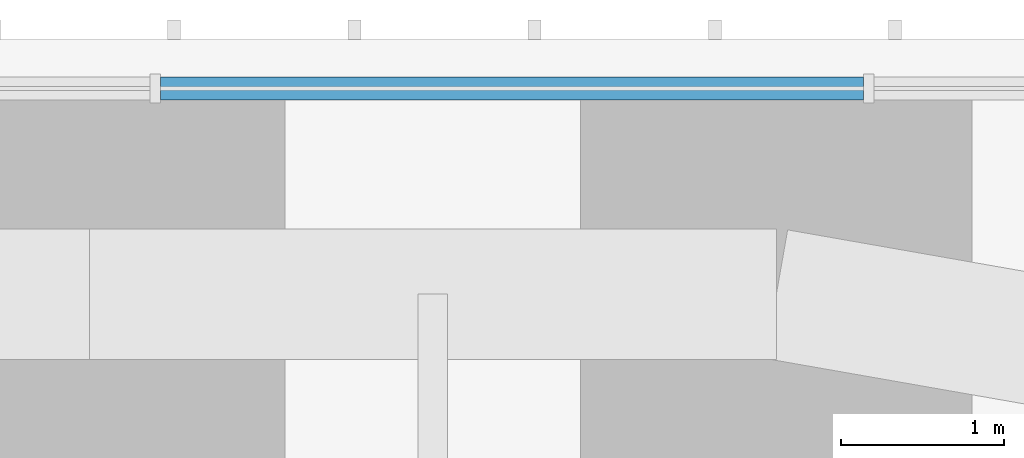
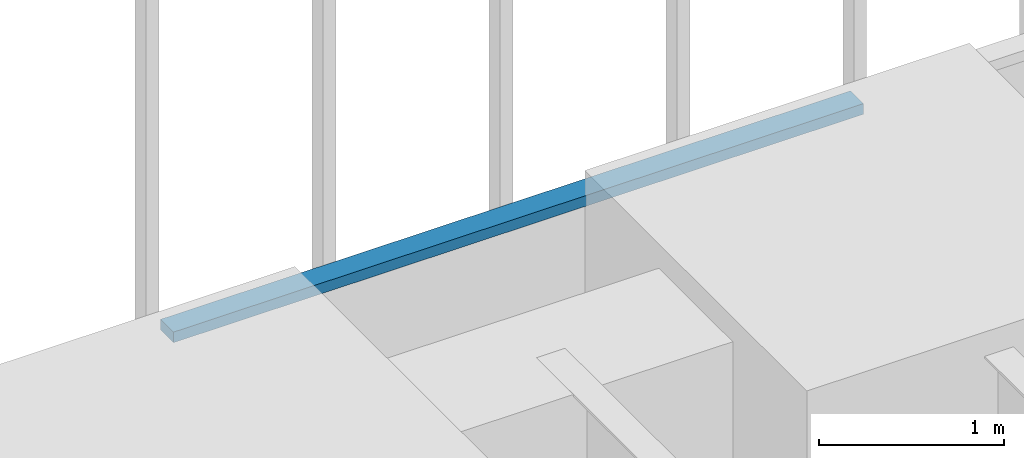
# One storey, part 230 of 256: 1 member, 1 element without a shape of its own.
"""IFC4 building model written with IfcOpenShell, lengths in metres."""

from ifc_helpers import new_model, si_unit, direction, frame, origin, origin_2d, place, context, subcontext, project, spatial, rectangle, extrude, material, material_profile, profile_set, type_object, element, aggregate, save


model = new_model("IFC4")

# Units and contexts
model_context = context("Model", 3, precision=1e-05, world=origin(), true_north=direction((0.0, 1.0)))
body_context = subcontext(model_context, "Body", "Model", "MODEL_VIEW")
ifc_project = project(units=[si_unit("LENGTHUNIT", "METRE"), si_unit("AREAUNIT", "SQUARE_METRE"), si_unit("VOLUMEUNIT", "CUBIC_METRE"), si_unit("PLANEANGLEUNIT", "RADIAN"), si_unit("MASSUNIT", "GRAM", prefix="KILO")], contexts=[model_context])

# Site, building, storey
site_placement = place(None, origin())
site = spatial("IfcSite", under=ifc_project, at=site_placement, CompositionType="ELEMENT")
building_placement = place(site_placement, origin())
building = spatial("IfcBuilding", under=site, at=building_placement, Name="Sandreach Pilgrim Tower", CompositionType="ELEMENT")
storey_placement = place(building_placement, frame((0.0, 0.0, 23.0)))
storey = spatial("IfcBuildingStorey", under=building, at=storey_placement, Name="L04", CompositionType="ELEMENT", Elevation=23.0)

# Curtain wall, member
ifc_material_1 = material(Name="Aluminium framed curtain wall", Category="aluminium")
curtain_wall_type = type_object("IfcCurtainWallType", Name="Hostel tower curtain wall", PredefinedType="NOTDEFINED", material=ifc_material_1)
curtain_wall_placement = place(storey_placement, origin())
curtain_wall = element("IfcCurtainWall", 1, at=curtain_wall_placement, inside=storey, type_object=curtain_wall_type, Name="CW-1 L04 N", PredefinedType="NOTDEFINED")
ifc_material_2 = material(Name="Aluminium extrusion", Category="aluminium")
ifc_material_profile = material_profile(ifc_material_2, rectangle(XDim=0.139892578125, YDim=0.070068359375, at=origin_2d()), Name="CW-1T 140X70")
ifc_profile_set = profile_set([ifc_material_profile], Name="Aluminium extrusion")
member_type = type_object("IfcMemberType", Name="CW-1 transom", PredefinedType="USERDEFINED", material=ifc_profile_set)
member_placement = place(storey_placement, frame((10.96142578125, 23.94873046875, 3.60498046875), z_axis=(1.0, 0.0, 0.0), x_axis=(0.0, 1.0, 0.0)))
member = element("IfcMember", 2, at=member_placement, type_object=member_type, Name="CW-1 head transom 8", ObjectType="TRANSOM", PredefinedType="USERDEFINED", context=body_context, shape_type="SweptSolid", body=[
    extrude(rectangle(XDim=0.139892578125, YDim=0.070068359375, at=origin_2d()), origin(), (0.0, 0.0, 1.0), 4.306640625),
])
aggregate(curtain_wall, [member])

save(model, "model.ifc")
